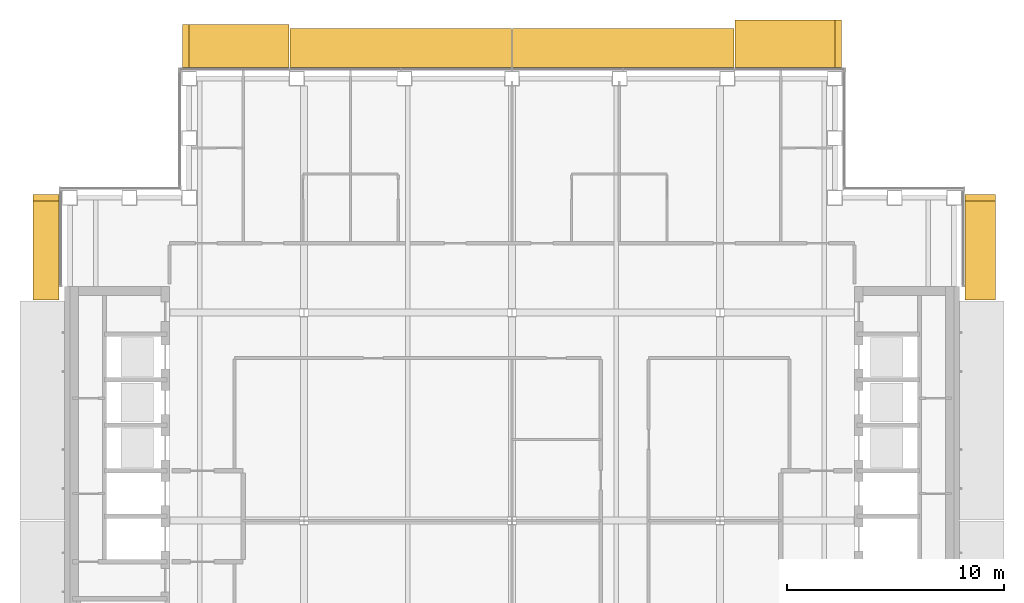
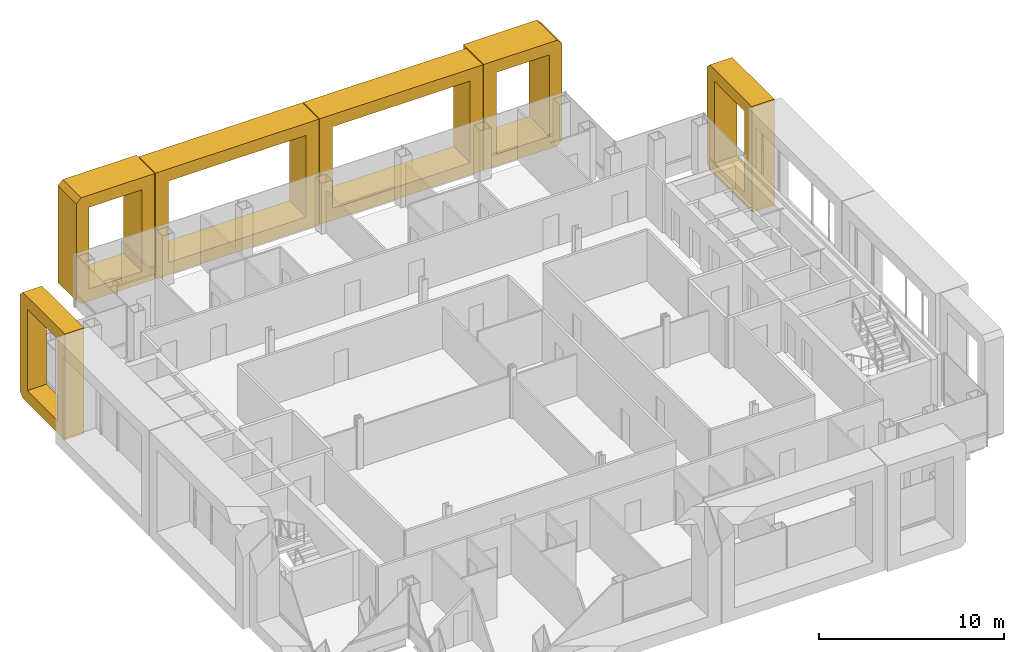
# One storey, part 18 of 19: 6 coverings.
"""IFC4 building model written with IfcOpenShell, lengths in metres."""

from ifc_helpers import new_model, si_unit, direction, frame, origin, place, context, subcontext, project, spatial, polyline, outline, extrude, material, type_object, element, save


model = new_model("IFC4")

# Units and contexts
model_context = context("Model", 3, precision=1e-05, world=origin(), true_north=direction((0.0, 1.0)))
body_context = subcontext(model_context, "Body", "Model", "MODEL_VIEW")
ifc_project = project(units=[si_unit("LENGTHUNIT", "METRE"), si_unit("AREAUNIT", "SQUARE_METRE"), si_unit("VOLUMEUNIT", "CUBIC_METRE"), si_unit("PLANEANGLEUNIT", "RADIAN"), si_unit("MASSUNIT", "GRAM", prefix="KILO")], contexts=[model_context])

# Site, building, storey
site_placement = place(None, origin())
site = spatial("IfcSite", under=ifc_project, at=site_placement, CompositionType="ELEMENT")
building_placement = place(site_placement, origin())
building = spatial("IfcBuilding", under=site, at=building_placement, Name="Cobrizo Arcos Hotel Tower", CompositionType="ELEMENT")
storey_placement = place(building_placement, frame((0.0, 0.0, 198.0)))
storey = spatial("IfcBuildingStorey", under=building, at=storey_placement, Name="L51", CompositionType="ELEMENT", Elevation=198.0)

# Coverings
ifc_material = material(Name="Aluminium 6063-T6 anodised bronze", Category="aluminium")
covering_type_1 = type_object("IfcCoveringType", Name="FIN-F 1200", PredefinedType="CLADDING", material=ifc_material)
covering_1_placement = place(storey_placement, frame((-20.89990234375, 15.050048828125, 0.0), z_axis=(-1.0, 0.0, 0.0), x_axis=(0.0, -1.0, 0.0)))
element("IfcCovering", 1, at=covering_1_placement, inside=storey, type_object=covering_type_1, Name="Fin frame 345", PredefinedType="CLADDING", context=body_context, shape_type="SweptSolid", body=[
    extrude(outline(polyline([(0.0, 0.300048828125), (0.300048828125, 0.0), (4.8583984375, 0.0), (4.8583984375, 7.0), (0.300048828125, 7.0), (0.0, 6.699951171875), (0.0, 0.300048828125)]), holes=[polyline([(4.058349609375, 0.800048828125), (0.800048828125, 0.800048828125), (0.800048828125, 6.199951171875), (4.058349609375, 6.199951171875), (4.058349609375, 0.800048828125)])]), origin(), (0.0, 0.0, 1.0), 1.2001953125),
])
covering_type_2 = type_object("IfcCoveringType", Name="FIN-F 1400", PredefinedType="CLADDING", material=ifc_material)
covering_2_placement = place(storey_placement, frame((20.89990234375, 10.191650390625, 0.0), z_axis=(1.0, 0.0, 0.0), x_axis=(0.0, 1.0, 0.0)))
element("IfcCovering", 2, at=covering_2_placement, inside=storey, type_object=covering_type_2, Name="Fin frame 312", PredefinedType="CLADDING", context=body_context, shape_type="SweptSolid", body=[
    extrude(outline(polyline([(0.0, 7.0), (0.0, 0.0), (4.558349609375, 0.0), (4.8583984375, 0.300048828125), (4.8583984375, 6.699951171875), (4.558349609375, 7.0), (0.0, 7.0)]), holes=[polyline([(4.058349609375, 0.800048828125), (0.800048828125, 0.800048828125), (0.800048828125, 6.199951171875), (4.058349609375, 6.199951171875), (4.058349609375, 0.800048828125)])]), origin(), (0.0, 0.0, 1.0), 1.400146484375),
])
covering_type_3 = type_object("IfcCoveringType", Name="FIN-F 1800", PredefinedType="CLADDING", material=ifc_material)
for number, where, z_axis, x_axis, name in (
    (3, (10.24169921875, 20.89990234375, 0.0), (0.0, 1.0, 0.0), (-1.0, 0.0, 0.0), "Fin frame 292"),
    (4, (-0.02490234375, 20.89990234375, 0.0), (0.0, 1.0, 0.0), (-1.0, 0.0, 0.0), "Fin frame 293"),
):
    element("IfcCovering", number, at=place(storey_placement, frame(where, z_axis=z_axis, x_axis=x_axis)), inside=storey, type_object=covering_type_3, Name=name, PredefinedType="CLADDING", context=body_context, shape_type="SweptSolid", body=[
        extrude(outline(polyline([(0.0, 7.0), (0.0, 0.0), (10.216796875, 0.0), (10.216796875, 7.0), (0.0, 7.0)]), holes=[polyline([(9.416748046875, 0.800048828125), (0.800048828125, 0.800048828125), (0.800048828125, 6.199951171875), (9.416748046875, 6.199951171875), (9.416748046875, 0.800048828125)])]), origin(), (0.0, 0.0, 1.0), 1.800048828125),
    ])
covering_type_4 = type_object("IfcCoveringType", Name="FIN-F 2000", PredefinedType="CLADDING", material=ifc_material)
covering_3_placement = place(storey_placement, frame((-10.291748046875, 20.89990234375, 0.0), z_axis=(0.0, 1.0, 0.0), x_axis=(-1.0, 0.0, 0.0)))
element("IfcCovering", 5, at=covering_3_placement, inside=storey, type_object=covering_type_4, Name="Fin frame 294", PredefinedType="CLADDING", context=body_context, shape_type="SweptSolid", body=[
    extrude(outline(polyline([(0.0, 7.0), (0.0, 0.0), (4.6083984375, 0.0), (4.908203125, 0.300048828125), (4.908203125, 6.699951171875), (4.6083984375, 7.0), (0.0, 7.0)]), holes=[polyline([(4.1083984375, 0.800048828125), (0.800048828125, 0.800048828125), (0.800048828125, 6.199951171875), (4.1083984375, 6.199951171875), (4.1083984375, 0.800048828125)])]), origin(), (0.0, 0.0, 1.0), 2.0),
])
covering_type_5 = type_object("IfcCoveringType", Name="FIN-F 2200", PredefinedType="CLADDING", material=ifc_material)
covering_4_placement = place(storey_placement, frame((15.199951171875, 20.89990234375, 0.0), z_axis=(0.0, 1.0, 0.0), x_axis=(-1.0, 0.0, 0.0)))
element("IfcCovering", 6, at=covering_4_placement, inside=storey, type_object=covering_type_5, Name="Fin frame 291", PredefinedType="CLADDING", context=body_context, shape_type="SweptSolid", body=[
    extrude(outline(polyline([(0.0, 0.300048828125), (0.300048828125, 0.0), (4.908203125, 0.0), (4.908203125, 7.0), (0.300048828125, 7.0), (0.0, 6.699951171875), (0.0, 0.300048828125)]), holes=[polyline([(4.1083984375, 0.800048828125), (0.800048828125, 0.800048828125), (0.800048828125, 6.199951171875), (4.1083984375, 6.199951171875), (4.1083984375, 0.800048828125)])]), origin(), (0.0, 0.0, 1.0), 2.2001953125),
])

save(model, "model.ifc")
